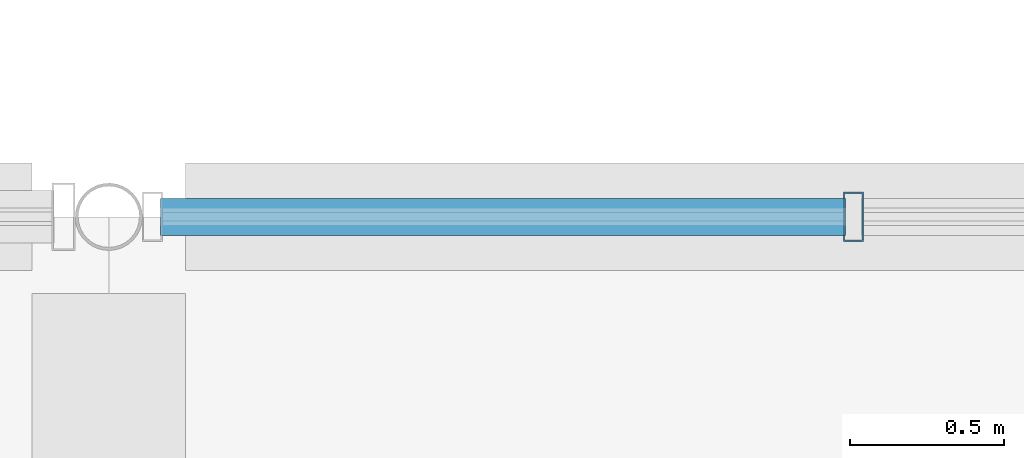
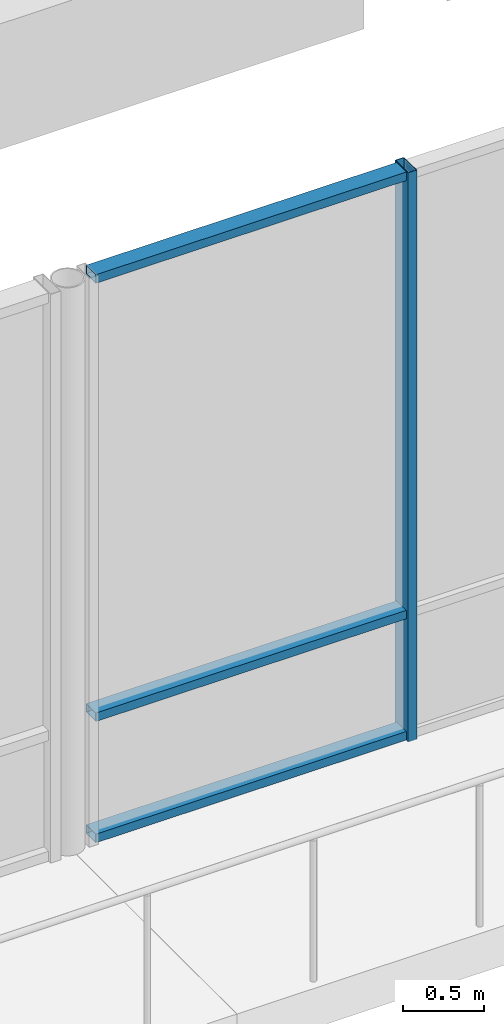
# One storey, part 46 of 146: 4 members, 1 element without a shape of its own.
"""IFC4 building model written with IfcOpenShell, lengths in metres."""

from ifc_helpers import new_model, si_unit, direction, frame, origin, origin_2d, place, context, subcontext, project, spatial, hollow_rectangle, extrude, material, material_profile, profile_set, type_object, element, aggregate, save


model = new_model("IFC4")

# Units and contexts
model_context = context("Model", 3, precision=1e-05, world=origin(), true_north=direction((0.0, 1.0)))
body_context = subcontext(model_context, "Body", "Model", "MODEL_VIEW")
ifc_project = project(units=[si_unit("LENGTHUNIT", "METRE"), si_unit("AREAUNIT", "SQUARE_METRE"), si_unit("VOLUMEUNIT", "CUBIC_METRE"), si_unit("PLANEANGLEUNIT", "RADIAN"), si_unit("MASSUNIT", "GRAM", prefix="KILO")], contexts=[model_context])

# Site, building, storey
site_placement = place(None, origin())
site = spatial("IfcSite", under=ifc_project, at=site_placement, CompositionType="ELEMENT")
building_placement = place(site_placement, origin())
building = spatial("IfcBuilding", under=site, at=building_placement, Name="Hawrajan Terrace Health Centre", CompositionType="ELEMENT")
storey_placement = place(building_placement, frame((0.0, 0.0, 4.5)))
storey = spatial("IfcBuildingStorey", under=building, at=storey_placement, Name="L01", CompositionType="ELEMENT", Elevation=4.5)

# Curtain wall, members
ifc_material_1 = material(Name="Anodized bronze aluminium and low-E solar glazing", Category="aluminium")
curtain_wall_type = type_object("IfcCurtainWallType", Name="CW_Court_SeriesA3", PredefinedType="USERDEFINED", material=ifc_material_1)
curtain_wall_placement = place(storey_placement, origin())
curtain_wall = element("IfcCurtainWall", 1, at=curtain_wall_placement, inside=storey, type_object=curtain_wall_type, Name="Curtain wall CW-L01-075", ObjectType="UNITISED CURTAIN WALL", PredefinedType="USERDEFINED")
ifc_material_2 = material(Name="Anodized bronze aluminium 6063-T6", Category="aluminium")
ifc_material_profile_1 = material_profile(ifc_material_2, hollow_rectangle(XDim=0.06494140625, YDim=0.159912109375, WallThickness=0.00390625, at=origin_2d()), Name="CW MUL 65x160")
ifc_profile_set_1 = profile_set([ifc_material_profile_1], Name="Anodized bronze aluminium 6063-T6")
member_type_1 = type_object("IfcMemberType", Name="CWMullion_65x160", PredefinedType="MULLION", material=ifc_profile_set_1)
member_1_placement = place(storey_placement, frame((50.223876953125, 36.800048828125, -0.0048828125), z_axis=(0.0, 0.0, 1.0), x_axis=(1.0, 0.0, 0.0)))
member_1 = element("IfcMember", 2, at=member_1_placement, type_object=member_type_1, Name="Mullion CW-L01-075-M2", PredefinedType="MULLION", context=body_context, shape_type="SweptSolid", body=[
    extrude(hollow_rectangle(XDim=0.06494140625, YDim=0.159912109375, WallThickness=0.00390625, at=origin_2d()), origin(), (0.0, 0.0, 1.0), 4.309814453125),
])
ifc_material_profile_2 = material_profile(ifc_material_2, hollow_rectangle(XDim=0.06494140625, YDim=0.1201171875, WallThickness=0.00341796875, at=origin_2d()), Name="CW TRN 65x120")
ifc_profile_set_2 = profile_set([ifc_material_profile_2], Name="Anodized bronze aluminium 6063-T6")
member_type_2 = type_object("IfcMemberType", Name="CWTransom_65x120", PredefinedType="USERDEFINED", material=ifc_profile_set_2)
member_2_placement = place(storey_placement, frame((47.968505859375, 36.800048828125, 0.032470703125), z_axis=(1.0, 0.0, 0.0), x_axis=(0.0, 0.0, 1.0)))
member_2 = element("IfcMember", 3, at=member_2_placement, type_object=member_type_2, Name="Transom CW-L01-075-T1-1", ObjectType="TRANSOM", PredefinedType="USERDEFINED", context=body_context, shape_type="SweptSolid", body=[
    extrude(hollow_rectangle(XDim=0.06494140625, YDim=0.1201171875, WallThickness=0.00341796875, at=origin_2d()), origin(), (0.0, 0.0, 1.0), 2.228759765625),
])
member_3_placement = place(storey_placement, frame((47.968505859375, 36.800048828125, 0.949951171875), z_axis=(1.0, 0.0, 0.0), x_axis=(0.0, 0.0, 1.0)))
member_3 = element("IfcMember", 4, at=member_3_placement, type_object=member_type_2, Name="Transom CW-L01-075-T1-2", ObjectType="TRANSOM", PredefinedType="USERDEFINED", context=body_context, shape_type="SweptSolid", body=[
    extrude(hollow_rectangle(XDim=0.06494140625, YDim=0.1201171875, WallThickness=0.00341796875, at=origin_2d()), origin(), (0.0, 0.0, 1.0), 2.228759765625),
])
member_4_placement = place(storey_placement, frame((47.968505859375, 36.800048828125, 4.267578125), z_axis=(1.0, 0.0, 0.0), x_axis=(0.0, 0.0, 1.0)))
member_4 = element("IfcMember", 5, at=member_4_placement, type_object=member_type_2, Name="Transom CW-L01-075-T1-3", ObjectType="TRANSOM", PredefinedType="USERDEFINED", context=body_context, shape_type="SweptSolid", body=[
    extrude(hollow_rectangle(XDim=0.06494140625, YDim=0.1201171875, WallThickness=0.00341796875, at=origin_2d()), origin(), (0.0, 0.0, 1.0), 2.228759765625),
])
aggregate(curtain_wall, [member_1, member_2, member_3, member_4])

save(model, "model.ifc")
